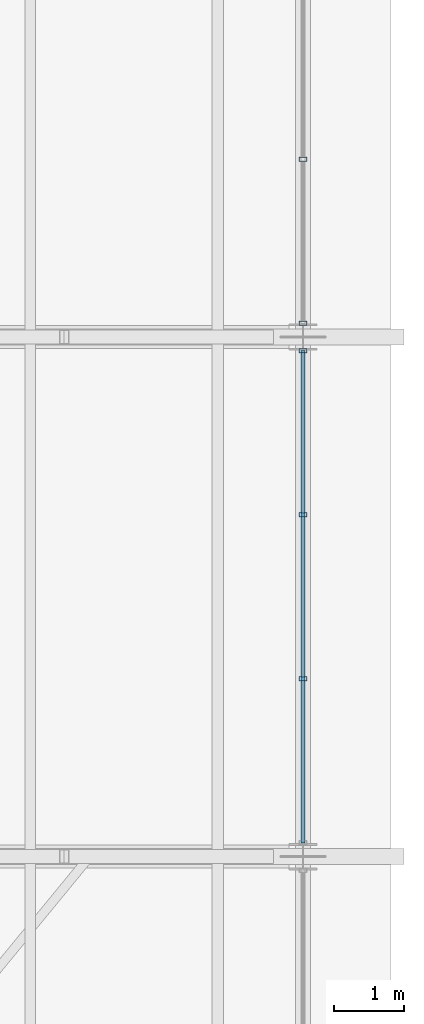
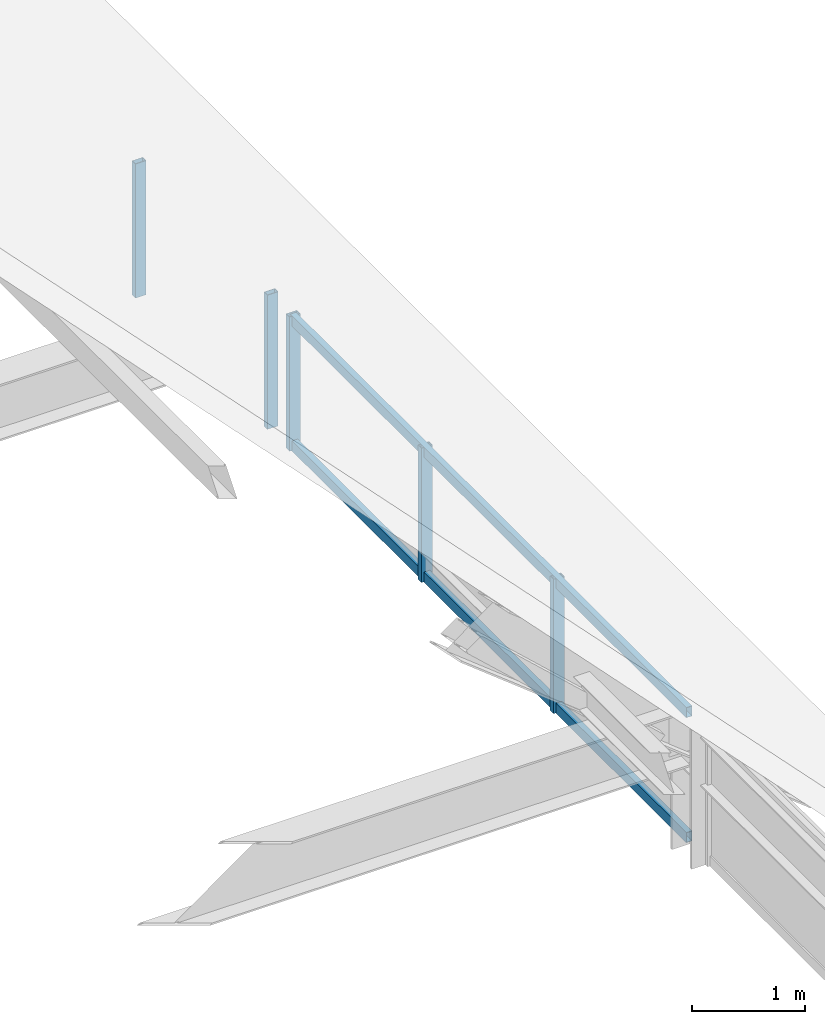
# One storey, part 29 of 44: 7 members, 2 elements without a shape of their own.
"""IFC4 building model written with IfcOpenShell, lengths in metres."""

import ifcopenshell
import ifcopenshell.guid

model = None  # the IFC model being written
_history = None  # IfcOwnerHistory: only IFC2X3 demands one
_inside = {}  # id of a spatial element -> (the spatial element, [elements in it])
_under = {}  # id of a project, library or spatial element -> (it, [spatial elements below it])
_declared = {}  # id of a project -> (the project, [libraries it declares])
_typed = {}  # id of a type object -> (the type object, [elements of that type])
_made_of = {}  # id of a material, layer set ... -> (it, [elements and type objects made of it])


def new_model(schema):
    """Start an empty IFC model of exactly this schema.

    Asked for "IFC4X3", IfcOpenShell would pick the latest addendum, in which some entities
    have other attributes; the version numbers below select the first issue.
    IFC2X3 requires an IfcOwnerHistory on every rooted entity: one is made here for all.
    """
    global model, _history
    if schema == "IFC4X3":
        model = ifcopenshell.file(schema_version=(4, 3, 0, 0))
    else:
        model = ifcopenshell.file(schema=schema)
    _inside.clear()
    _under.clear()
    _declared.clear()
    _typed.clear()
    _made_of.clear()
    _history = None
    if model.schema == "IFC2X3":
        org = make("IfcOrganization", Name="unknown")
        user = make(
            "IfcPersonAndOrganization",
            ThePerson=make("IfcPerson", FamilyName="unknown"),
            TheOrganization=org,
        )
        app = make(
            "IfcApplication",
            ApplicationDeveloper=org,
            Version="unknown",
            ApplicationFullName="unknown",
            ApplicationIdentifier="unknown",
        )
        _history = make(
            "IfcOwnerHistory",
            OwningUser=user,
            OwningApplication=app,
            ChangeAction="ADDED",
            CreationDate=0,
        )
    return model


def make(cls, **values):
    """One entity of the class cls with the attributes given. An attribute that is None is left unset."""
    return model.create_entity(
        cls, **{name: value for name, value in values.items() if value is not None}
    )


def rooted(cls, **values):
    """An entity with a GlobalId (a new one), such as an element, a storey or a relation."""
    return make(cls, GlobalId=ifcopenshell.guid.new(), OwnerHistory=_history, **values)


def si_unit(unit_type, name, prefix=None):
    """IfcSIUnit, for example si_unit("LENGTHUNIT", "METRE", prefix="MILLI")."""
    return make("IfcSIUnit", UnitType=unit_type, Prefix=prefix, Name=name)


def assignment(units):
    """IfcUnitAssignment: the units of a project."""
    return None if units is None else make("IfcUnitAssignment", Units=units)


def point(xyz):
    """IfcCartesianPoint."""
    return None if xyz is None else make("IfcCartesianPoint", Coordinates=xyz)


def direction(xyz):
    """IfcDirection."""
    return None if xyz is None else make("IfcDirection", DirectionRatios=xyz)


def frame(location, z_axis=None, x_axis=None):
    """IfcAxis2Placement3D, a coordinate frame: its origin and axes. An axis left out is left unset."""
    return make(
        "IfcAxis2Placement3D",
        Location=point(location),
        Axis=direction(z_axis),
        RefDirection=direction(x_axis),
    )


def frame_2d(location, x_axis=None):
    """IfcAxis2Placement2D, a coordinate frame in the plane: its origin and x axis."""
    return make(
        "IfcAxis2Placement2D", Location=point(location), RefDirection=direction(x_axis)
    )


def origin():
    """The frame at (0, 0, 0) with its axes left unset."""
    return frame((0.0, 0.0, 0.0))


def origin_2d():
    """The frame at (0, 0) in the plane with its x axis left unset."""
    return frame_2d((0.0, 0.0))


def place(relative_to, where):
    """IfcLocalPlacement: puts the frame where relative to a parent placement (None: the world)."""
    return make(
        "IfcLocalPlacement", PlacementRelTo=relative_to, RelativePlacement=where
    )


def context(
    kind, dimensions, precision=None, world=None, true_north=None, identifier=None
):
    """IfcGeometricRepresentationContext, for example the 3D "Model" context."""
    return make(
        "IfcGeometricRepresentationContext",
        ContextIdentifier=identifier,
        ContextType=kind,
        CoordinateSpaceDimension=dimensions,
        Precision=precision,
        WorldCoordinateSystem=world,
        TrueNorth=true_north,
    )


def subcontext(parent, identifier, kind, view, scale=None):
    """IfcGeometricRepresentationSubContext, for example "Body" below "Model"."""
    return make(
        "IfcGeometricRepresentationSubContext",
        ContextIdentifier=identifier,
        ContextType=kind,
        ParentContext=parent,
        TargetScale=scale,
        TargetView=view,
    )


def project(units=None, contexts=None):
    """IfcProject with its units and contexts."""
    return rooted(
        "IfcProject",
        Name="project",
        RepresentationContexts=contexts,
        UnitsInContext=assignment(units),
    )


def spatial(cls, under=None, at=None, **own):
    """A site, building, storey or space (cls), placed at a placement, below another one or the project."""
    s = rooted(cls, ObjectPlacement=at, **own)
    if under is not None:
        _under.setdefault(under.id(), (under, []))[1].append(s)
    return s


def profile(cls, at=None, kind="AREA", **sizes):
    """A parametric profile (cls). Its sizes go by their IFC names, for example OverallWidth=200.0."""
    return make(cls, ProfileType=kind, Position=at, **sizes)


def hollow_rectangle(**sizes):
    """IfcRectangleHollowProfileDef."""
    return profile("IfcRectangleHollowProfileDef", **sizes)


def extrude(swept, where, along, depth):
    """IfcExtrudedAreaSolid: the profile swept, set in the frame where, extruded along a direction by depth."""
    return make(
        "IfcExtrudedAreaSolid",
        SweptArea=swept,
        Position=where,
        ExtrudedDirection=direction(along),
        Depth=depth,
    )


def shape(context_of_items, identifier, shape_type, items):
    """IfcShapeRepresentation: the items that make up one representation, for example the "Body"."""
    return make(
        "IfcShapeRepresentation",
        ContextOfItems=context_of_items,
        RepresentationIdentifier=identifier,
        RepresentationType=shape_type,
        Items=items,
    )


def material(Name=None, Category=None):
    """IfcMaterial."""
    return make("IfcMaterial", Name=Name, Category=Category)


def material_profile(
    of_material, cross_section, Name=None, Category=None, Priority=None
):
    """IfcMaterialProfile: a cross section and its material."""
    return make(
        "IfcMaterialProfile",
        Name=Name,
        Material=of_material,
        Profile=cross_section,
        Priority=Priority,
        Category=Category,
    )


def profile_set(profiles, Name=None, composite=None):
    """IfcMaterialProfileSet."""
    return make(
        "IfcMaterialProfileSet",
        Name=Name,
        MaterialProfiles=profiles,
        CompositeProfile=composite,
    )


def made_of(thing, what):
    """Note that an element or type object is made of a material, layer set ...; save() writes the relation."""
    if what is not None:
        _made_of.setdefault(what.id(), (what, []))[1].append(thing)
    return thing


def type_object(cls, material=None, **own):
    """A type object (cls), such as IfcWallType, which elements share."""
    return made_of(rooted(cls, **own), material)


def element(
    cls,
    number,
    at=None,
    inside=None,
    cuts=None,
    type_object=None,
    material=None,
    context=None,
    identifier="Body",
    shape_type=None,
    held_by="IfcProductDefinitionShape",
    body=None,
    shapes=None,
    **own,
):
    """One element of the class cls, such as IfcWall. Its Tag is "e" and its number.

    at: its placement. inside: the storey or other place that contains it. cuts: it is an
    opening in that element (IfcRelVoidsElement). A single representation is given by context,
    identifier, shape_type and body (its items); several are given by shapes. held_by: the class
    of the entity that holds the representations. save() writes the other relations.
    """
    e = rooted(cls, Tag="e%d" % number, ObjectPlacement=at, **own)
    if body is not None:
        shapes = [shape(context, identifier, shape_type, body)]
    if shapes is not None:
        e.Representation = make(held_by, Representations=shapes)
    if inside is not None:
        _inside.setdefault(inside.id(), (inside, []))[1].append(e)
    if cuts is not None:
        rooted(
            "IfcRelVoidsElement", RelatingBuildingElement=cuts, RelatedOpeningElement=e
        )
    if type_object is not None:
        _typed.setdefault(type_object.id(), (type_object, []))[1].append(e)
    return made_of(e, material)


def aggregate(whole, parts):
    """IfcRelAggregates: a whole, such as a stair, and the parts it consists of."""
    return rooted("IfcRelAggregates", RelatingObject=whole, RelatedObjects=parts)


def save(model, path):
    """Write the relations noted so far, then the file.

    IfcRelAggregates (storeys below a building ...), IfcRelContainedInSpatialStructure (elements
    in a storey), IfcRelDefinesByType, IfcRelAssociatesMaterial and IfcRelDeclares: one each for
    every whole, place, type object, material and project.
    """
    for whole, parts in _under.values():
        aggregate(whole, parts)
    for where, things in _inside.values():
        rooted(
            "IfcRelContainedInSpatialStructure",
            RelatedElements=things,
            RelatingStructure=where,
        )
    for kind, things in _typed.values():
        rooted("IfcRelDefinesByType", RelatedObjects=things, RelatingType=kind)
    for what, things in _made_of.values():
        rooted("IfcRelAssociatesMaterial", RelatedObjects=things, RelatingMaterial=what)
    for by, libraries in _declared.values():
        rooted("IfcRelDeclares", RelatingContext=by, RelatedDefinitions=libraries)
    model.write(path)


model = new_model("IFC4")

# Units and contexts
model_context = context("Model", 3, precision=1e-05, world=origin(), true_north=direction((0.0, 1.0)))
body_context = subcontext(model_context, "Body", "Model", "MODEL_VIEW")
ifc_project = project(units=[si_unit("LENGTHUNIT", "METRE"), si_unit("AREAUNIT", "SQUARE_METRE"), si_unit("VOLUMEUNIT", "CUBIC_METRE"), si_unit("PLANEANGLEUNIT", "RADIAN"), si_unit("MASSUNIT", "GRAM", prefix="KILO")], contexts=[model_context])

# Site, building, storey
site_placement = place(None, origin())
site = spatial("IfcSite", under=ifc_project, at=site_placement, CompositionType="ELEMENT")
building_placement = place(site_placement, origin())
building = spatial("IfcBuilding", under=site, at=building_placement, Name="Cimatlan Art Gallery", CompositionType="ELEMENT")
storey_placement = place(building_placement, frame((0.0, 0.0, 26.39990234375)))
storey = spatial("IfcBuildingStorey", under=building, at=storey_placement, Name="Roof", CompositionType="ELEMENT", Elevation=26.39990234375)

# Curtain wall, members
ifc_material_1 = material(Name="Anodised bronze unitised curtain wall")
curtain_wall_type = type_object("IfcCurtainWallType", Name="CW-V-07010X01450-B3", PredefinedType="NOTDEFINED", material=ifc_material_1)
curtain_wall_1_placement = place(storey_placement, origin())
curtain_wall_1 = element("IfcCurtainWall", 1, at=curtain_wall_1_placement, inside=storey, type_object=curtain_wall_type, Name="CW-CRW-E-07", PredefinedType="NOTDEFINED")
ifc_material_2 = material(Name="Anodised bronze aluminium 6063-T6", Category="aluminium")
ifc_material_profile_1 = material_profile(ifc_material_2, hollow_rectangle(XDim=0.06005859375, YDim=0.110107421875, WallThickness=0.00341796875, at=origin_2d()), Name="ALU60X110X3")
ifc_profile_set_1 = profile_set([ifc_material_profile_1], Name="Anodised bronze aluminium 6063-T6")
member_type_1 = type_object("IfcMemberType", Name="CW-MUL-110", PredefinedType="MULLION", material=ifc_profile_set_1)
member_1_placement = place(storey_placement, frame((99.199951171875, 60.705078125, 0.0), z_axis=(0.0, 0.0, 1.0), x_axis=(0.0, 1.0, 0.0)))
member_1 = element("IfcMember", 2, at=member_1_placement, type_object=member_type_1, Name="CW-CRW-E-07-M1", PredefinedType="MULLION", context=body_context, shape_type="SweptSolid", body=[
    extrude(hollow_rectangle(XDim=0.06005859375, YDim=0.110107421875, WallThickness=0.00341796875, at=origin_2d()), origin(), (0.0, 0.0, 1.0), 1.4501953125),
])
member_2_placement = place(storey_placement, frame((99.199951171875, 58.368408203125, 0.0), z_axis=(0.0, 0.0, 1.0), x_axis=(0.0, 1.0, 0.0)))
member_2 = element("IfcMember", 3, at=member_2_placement, type_object=member_type_1, Name="CW-CRW-E-07-M2", PredefinedType="MULLION", context=body_context, shape_type="SweptSolid", body=[
    extrude(hollow_rectangle(XDim=0.06005859375, YDim=0.110107421875, WallThickness=0.00341796875, at=origin_2d()), origin(), (0.0, 0.0, 1.0), 1.4501953125),
])
member_3_placement = place(storey_placement, frame((99.199951171875, 56.03173828125, 0.0), z_axis=(0.0, 0.0, 1.0), x_axis=(0.0, 1.0, 0.0)))
member_3 = element("IfcMember", 4, at=member_3_placement, type_object=member_type_1, Name="CW-CRW-E-07-M3", PredefinedType="MULLION", context=body_context, shape_type="SweptSolid", body=[
    extrude(hollow_rectangle(XDim=0.06005859375, YDim=0.110107421875, WallThickness=0.00341796875, at=origin_2d()), origin(), (0.0, 0.0, 1.0), 1.4501953125),
])

curtain_wall_2_placement = place(storey_placement, origin())
curtain_wall_2 = element("IfcCurtainWall", 5, at=curtain_wall_2_placement, inside=storey, type_object=curtain_wall_type, Name="CW-CRW-E-08", PredefinedType="NOTDEFINED")
member_4_placement = place(storey_placement, frame((99.199951171875, 63.431640625, 0.0), z_axis=(0.0, 0.0, 1.0), x_axis=(0.0, 1.0, 0.0)))
member_4 = element("IfcMember", 6, at=member_4_placement, type_object=member_type_1, Name="CW-CRW-E-08-M3", PredefinedType="MULLION", context=body_context, shape_type="SweptSolid", body=[
    extrude(hollow_rectangle(XDim=0.06005859375, YDim=0.110107421875, WallThickness=0.00341796875, at=origin_2d()), origin(), (0.0, 0.0, 1.0), 1.4501953125),
])
member_5_placement = place(storey_placement, frame((99.199951171875, 61.094970703125, 0.0), z_axis=(0.0, 0.0, 1.0), x_axis=(0.0, 1.0, 0.0)))
member_5 = element("IfcMember", 7, at=member_5_placement, type_object=member_type_1, Name="CW-CRW-E-08-M4", PredefinedType="MULLION", context=body_context, shape_type="SweptSolid", body=[
    extrude(hollow_rectangle(XDim=0.06005859375, YDim=0.110107421875, WallThickness=0.00341796875, at=origin_2d()), origin(), (0.0, 0.0, 1.0), 1.4501953125),
])
aggregate(curtain_wall_2, [member_4, member_5])

# Member
ifc_material_profile_2 = material_profile(ifc_material_2, hollow_rectangle(XDim=0.06005859375, YDim=0.110107421875, WallThickness=0.00341796875, at=origin_2d()), Name="ALU60X110X3")
ifc_profile_set_2 = profile_set([ifc_material_profile_2], Name="Anodised bronze aluminium 6063-T6")
member_type_2 = type_object("IfcMemberType", Name="CW-TRN-110", PredefinedType="USERDEFINED", material=ifc_profile_set_2)
member_6_placement = place(storey_placement, frame((99.199951171875, 60.705078125, 0.050048828125), z_axis=(0.0, -1.0, 0.0), x_axis=(1.0, 0.0, 0.0)))
member_6 = element("IfcMember", 8, at=member_6_placement, type_object=member_type_2, Name="CW-CRW-E-07-T1", ObjectType="TRANSOM", PredefinedType="USERDEFINED", context=body_context, shape_type="SweptSolid", body=[
    extrude(hollow_rectangle(XDim=0.06005859375, YDim=0.110107421875, WallThickness=0.00341796875, at=origin_2d()), origin(), (0.0, 0.0, 1.0), 7.010009765625),
])

member_7_placement = place(storey_placement, frame((99.199951171875, 60.705078125, 1.400146484375), z_axis=(0.0, -1.0, 0.0), x_axis=(1.0, 0.0, 0.0)))
member_7 = element("IfcMember", 9, at=member_7_placement, type_object=member_type_2, Name="CW-CRW-E-07-T2", ObjectType="TRANSOM", PredefinedType="USERDEFINED", context=body_context, shape_type="SweptSolid", body=[
    extrude(hollow_rectangle(XDim=0.06005859375, YDim=0.110107421875, WallThickness=0.00341796875, at=origin_2d()), origin(), (0.0, 0.0, 1.0), 7.010009765625),
])

aggregate(curtain_wall_1, [member_1, member_2, member_3, member_6, member_7])

save(model, "model.ifc")
